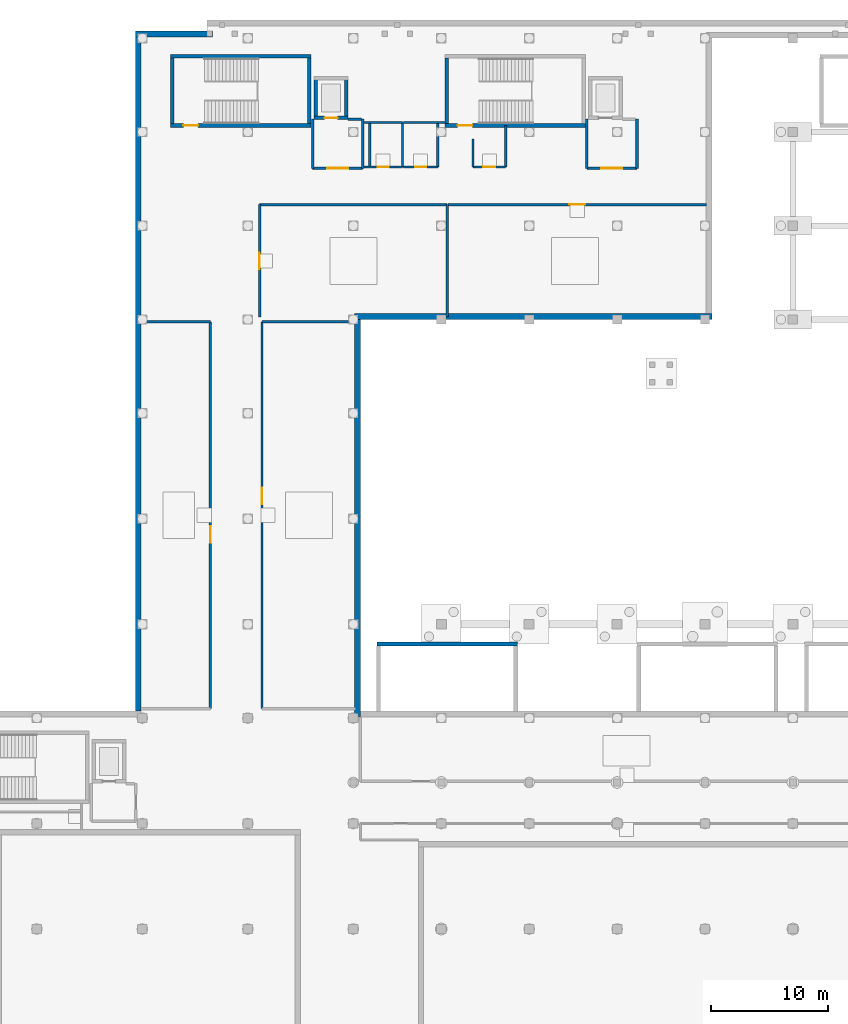
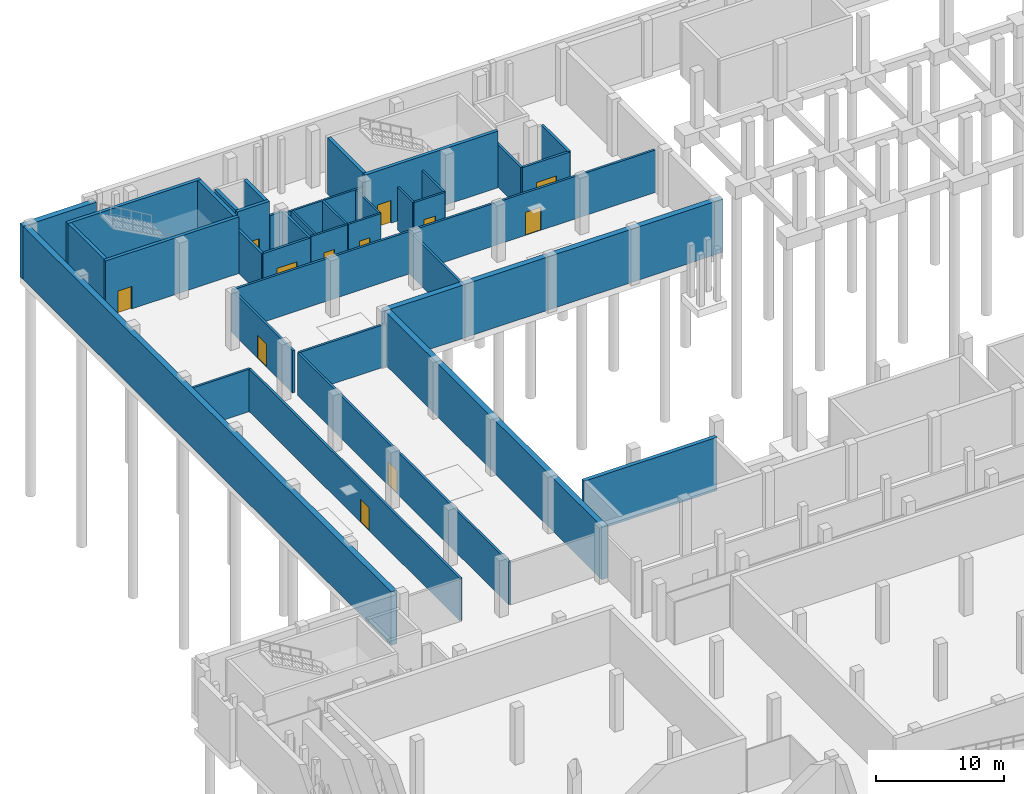
# One storey, part 12 of 19: 39 walls, 12 doors, 12 openings.
"""IFC4 building model written with IfcOpenShell, lengths in metres."""

from ifc_helpers import new_model, si_unit, direction, frame, frame_2d, origin, place, context, subcontext, project, spatial, rectangle, extrude, material, layer, layer_set, type_object, element, fill, save


model = new_model("IFC4")

# Units and contexts
model_context = context("Model", 3, precision=1e-05, world=origin(), true_north=direction((0.0, 1.0)))
body_context = subcontext(model_context, "Body", "Model", "MODEL_VIEW")
ifc_project = project(units=[si_unit("LENGTHUNIT", "METRE"), si_unit("AREAUNIT", "SQUARE_METRE"), si_unit("VOLUMEUNIT", "CUBIC_METRE"), si_unit("PLANEANGLEUNIT", "RADIAN"), si_unit("MASSUNIT", "GRAM", prefix="KILO")], contexts=[model_context])

# Site, building, storey
site_placement = place(None, origin())
site = spatial("IfcSite", under=ifc_project, at=site_placement, CompositionType="ELEMENT")
building_placement = place(site_placement, origin())
building = spatial("IfcBuilding", under=site, at=building_placement, Name="Vourika Railside Aquatics Centre", CompositionType="ELEMENT")
storey_placement = place(building_placement, frame((0.0, 0.0, -5.39990234375)))
storey = spatial("IfcBuildingStorey", under=building, at=storey_placement, Name="B1", CompositionType="ELEMENT", Elevation=-5.39990234375)

# Wall, opening, door
ifc_material_1 = material(Name="Concrete C40/50", Category="concrete")
ifc_layer_1 = layer(ifc_material_1, 0.300048828125, Name="WL-CORE")
ifc_layer_set_1 = layer_set([ifc_layer_1], Name="Concrete C40/50")
wall_type_1 = type_object("IfcWallType", Name="WL-CORE", PredefinedType="SHEAR", material=ifc_layer_set_1)
wall_1_placement = place(storey_placement, frame((20.39990234375, 108.550048828125, 0.0), z_axis=(0.0, 0.0, 1.0), x_axis=(1.0, 0.0, 0.0)))
wall_1 = element("IfcWall", 1, at=wall_1_placement, inside=storey, type_object=wall_type_1, Name="Protected Exit Stair Core ST01 South Wall (B1)", PredefinedType="SHEAR", context=body_context, shape_type="SweptSolid", body=[
    extrude(rectangle(XDim=12.0, YDim=0.300048828125, at=frame_2d((6.0, 0.0))), origin(), (0.0, 0.0, 1.0), 5.39990234375),
])
opening_1_placement = place(wall_1_placement, frame((1.10009765625, 0.0, 0.0)))
opening_1 = element("IfcOpeningElement", 2, at=opening_1_placement, cuts=wall_1, Name="Opening DF02", PredefinedType="OPENING", context=body_context, shape_type="SweptSolid", body=[
    extrude(rectangle(XDim=1.25, YDim=2.14990234375, at=frame_2d((0.625, 1.074951171875))), frame((0.0, 0.16015625, 0.0), z_axis=(0.0, -1.0, 0.0), x_axis=(1.0, 0.0, 0.0)), (0.0, 0.0, 1.0), 0.320068359375),
])
ifc_material_2 = material(Name="Fire-rated wide exit stair door")
door_type_1 = type_object("IfcDoorType", Name="DR-FD60-125", OperationType="NOTDEFINED", PredefinedType="DOOR", material=ifc_material_2)
door_1_placement = place(opening_1_placement, origin())
door_1 = element("IfcDoor", 3, at=door_1_placement, inside=storey, type_object=door_type_1, Name="Protected Exit Stair Core ST01 Enclosure Fire Door (B1)", OperationType="SINGLE_SWING_LEFT", OverallHeight=2.14990234375, OverallWidth=1.25, PredefinedType="DOOR", context=body_context, shape_type="SweptSolid", body=[
    extrude(rectangle(XDim=1.25, YDim=2.14990234375, at=frame_2d((0.625, 1.074951171875))), frame((0.0, 0.02490234375, 0.0), z_axis=(0.0, -1.0, 0.0), x_axis=(1.0, 0.0, 0.0)), (0.0, 0.0, 1.0), 0.050048828125),
])
fill(opening_1, door_1)

# Walls
wall_2_placement = place(storey_placement, frame((32.39990234375, 114.449951171875, 0.0), z_axis=(0.0, 0.0, 1.0), x_axis=(-1.0, 0.0, 0.0)))
element("IfcWall", 4, at=wall_2_placement, inside=storey, type_object=wall_type_1, Name="Protected Exit Stair Core ST01 North Wall (B1)", PredefinedType="SHEAR", context=body_context, shape_type="SweptSolid", body=[
    extrude(rectangle(XDim=12.0, YDim=0.300048828125, at=frame_2d((6.0, 0.0))), origin(), (0.0, 0.0, 1.0), 5.39990234375),
])
for number, where, z_axis, x_axis, name in (
    (5, (20.550048828125, 114.300048828125, 0.0), (0.0, 0.0, 1.0), (0.0, -1.0, 0.0), "Protected Exit Stair Core ST01 West Wall (B1)"),
    (6, (32.25, 108.699951171875, 0.0), (0.0, 0.0, 1.0), (0.0, 1.0, 0.0), "Protected Exit Stair Core ST01 East Wall (B1)"),
):
    element("IfcWall", number, at=place(storey_placement, frame(where, z_axis=z_axis, x_axis=x_axis)), inside=storey, type_object=wall_type_1, Name=name, PredefinedType="SHEAR", context=body_context, shape_type="SweptSolid", body=[
        extrude(rectangle(XDim=5.60009765625, YDim=0.300048828125, at=frame_2d((2.800048828125, 0.0))), origin(), (0.0, 0.0, 1.0), 5.39990234375),
    ])

# Wall, opening, door
wall_3_placement = place(storey_placement, frame((43.800048828125, 108.550048828125, 0.0), z_axis=(0.0, 0.0, 1.0), x_axis=(1.0, 0.0, 0.0)))
wall_3 = element("IfcWall", 7, at=wall_3_placement, inside=storey, type_object=wall_type_1, Name="Protected Exit Stair Core ST02 South Wall (B1)", PredefinedType="SHEAR", context=body_context, shape_type="SweptSolid", body=[
    extrude(rectangle(XDim=12.0, YDim=0.300048828125, at=frame_2d((6.0, 0.0))), origin(), (0.0, 0.0, 1.0), 5.39990234375),
])
opening_2_placement = place(wall_3_placement, frame((1.10009765625, 0.0, 0.0)))
opening_2 = element("IfcOpeningElement", 8, at=opening_2_placement, cuts=wall_3, Name="Opening DF02", PredefinedType="OPENING", context=body_context, shape_type="SweptSolid", body=[
    extrude(rectangle(XDim=1.25, YDim=2.14990234375, at=frame_2d((0.625, 1.074951171875))), frame((0.0, 0.16015625, 0.0), z_axis=(0.0, -1.0, 0.0), x_axis=(1.0, 0.0, 0.0)), (0.0, 0.0, 1.0), 0.320068359375),
])
door_2_placement = place(opening_2_placement, origin())
door_2 = element("IfcDoor", 9, at=door_2_placement, inside=storey, type_object=door_type_1, Name="Protected Exit Stair Core ST02 Enclosure Fire Door (B1)", OperationType="SINGLE_SWING_RIGHT", OverallHeight=2.14990234375, OverallWidth=1.25, PredefinedType="DOOR", context=body_context, shape_type="SweptSolid", body=[
    extrude(rectangle(XDim=1.25, YDim=2.14990234375, at=frame_2d((0.625, 1.074951171875))), frame((0.0, 0.02490234375, 0.0), z_axis=(0.0, -1.0, 0.0), x_axis=(1.0, 0.0, 0.0)), (0.0, 0.0, 1.0), 0.050048828125),
])
fill(opening_2, door_2)

# Wall
wall_4_placement = place(storey_placement, frame((43.949951171875, 114.300048828125, 0.0), z_axis=(0.0, 0.0, 1.0), x_axis=(0.0, -1.0, 0.0)))
element("IfcWall", 10, at=wall_4_placement, inside=storey, type_object=wall_type_1, Name="Protected Exit Stair Core ST02 West Wall (B1)", PredefinedType="SHEAR", context=body_context, shape_type="SweptSolid", body=[
    extrude(rectangle(XDim=5.60009765625, YDim=0.300048828125, at=frame_2d((2.800048828125, 0.0))), origin(), (0.0, 0.0, 1.0), 5.39990234375),
])

# Wall, opening, door
wall_5_placement = place(storey_placement, frame((32.64990234375, 109.199951171875, 0.0), z_axis=(0.0, 0.0, 1.0), x_axis=(1.0, 0.0, 0.0)))
wall_5 = element("IfcWall", 11, at=wall_5_placement, inside=storey, type_object=wall_type_1, Name="Lift LF01 Shaft South Wall (B1)", PredefinedType="SHEAR", context=body_context, shape_type="SweptSolid", body=[
    extrude(rectangle(XDim=2.900146484375, YDim=0.300048828125, at=frame_2d((1.4501953125, 0.0))), origin(), (0.0, 0.0, 1.0), 5.39990234375),
])
opening_3_placement = place(wall_5_placement, frame((0.89990234375, 0.0, 0.0)))
opening_3 = element("IfcOpeningElement", 12, at=opening_3_placement, cuts=wall_5, Name="Opening LD01", PredefinedType="OPENING", context=body_context, shape_type="SweptSolid", body=[
    extrude(rectangle(XDim=1.10009765625, YDim=2.14990234375, at=frame_2d((0.550048828125, 1.074951171875))), frame((0.0, 0.16015625, 0.0), z_axis=(0.0, -1.0, 0.0), x_axis=(1.0, 0.0, 0.0)), (0.0, 0.0, 1.0), 0.320068359375),
])
ifc_material_3 = material(Name="Stainless firefighting lift landing door")
door_type_2 = type_object("IfcDoorType", Name="DR-LIFT-LD1", OperationType="DOUBLE_DOOR_SLIDING", PredefinedType="DOOR", material=ifc_material_3)
door_3_placement = place(opening_3_placement, origin())
door_3 = element("IfcDoor", 13, at=door_3_placement, inside=storey, type_object=door_type_2, Name="Lift LF01 Sliding Landing Door (B1)", OperationType="DOUBLE_DOOR_SLIDING", OverallHeight=2.14990234375, OverallWidth=1.10009765625, PredefinedType="DOOR", context=body_context, shape_type="SweptSolid", body=[
    extrude(rectangle(XDim=1.10009765625, YDim=2.14990234375, at=frame_2d((0.550048828125, 1.074951171875))), frame((0.0, 0.02490234375, 0.0), z_axis=(0.0, -1.0, 0.0), x_axis=(1.0, 0.0, 0.0)), (0.0, 0.0, 1.0), 0.050048828125),
])
fill(opening_3, door_3)

# Walls
for number, where, z_axis, x_axis, name in (
    (14, (32.800048828125, 112.60009765625, 0.0), (0.0, 0.0, 1.0), (0.0, -1.0, 0.0), "Lift LF01 Shaft West Wall (B1)"),
    (15, (35.39990234375, 109.199951171875, 0.0), (0.0, 0.0, 1.0), (0.0, 1.0, 0.0), "Lift LF01 Shaft East Wall (B1)"),
):
    element("IfcWall", number, at=place(storey_placement, frame(where, z_axis=z_axis, x_axis=x_axis)), inside=storey, type_object=wall_type_1, Name=name, PredefinedType="SHEAR", context=body_context, shape_type="SweptSolid", body=[
        extrude(rectangle(XDim=3.400146484375, YDim=0.300048828125, at=frame_2d((1.7001953125, 0.0))), origin(), (0.0, 0.0, 1.0), 5.39990234375),
    ])

# Wall, opening, door
ifc_material_4 = material(Name="Concrete C35/45", Category="concrete")
ifc_layer_2 = layer(ifc_material_4, 0.219970703125, Name="WL-FIRE")
ifc_layer_set_2 = layer_set([ifc_layer_2], Name="Concrete C35/45")
wall_type_2 = type_object("IfcWallType", Name="WL-FIRE", PredefinedType="SOLIDWALL", material=ifc_layer_set_2)
wall_6_placement = place(storey_placement, frame((32.52001953125, 104.89990234375, 0.0), z_axis=(0.0, 0.0, 1.0), x_axis=(1.0, 0.0, 0.0)))
wall_6 = element("IfcWall", 16, at=wall_6_placement, inside=storey, type_object=wall_type_2, Name="Lift LF01 Lobby Corridor Fire Wall (B1)", PredefinedType="SOLIDWALL", context=body_context, shape_type="SweptSolid", body=[
    extrude(rectangle(XDim=4.280029296875, YDim=0.219970703125, at=frame_2d((2.14013671875, 0.0))), origin(), (0.0, 0.0, 1.0), 4.0498046875),
])
opening_4_placement = place(wall_6_placement, frame((1.239990234375, 0.0, 0.0)))
opening_4 = element("IfcOpeningElement", 17, at=opening_4_placement, cuts=wall_6, Name="Opening DF03", PredefinedType="OPENING", context=body_context, shape_type="SweptSolid", body=[
    extrude(rectangle(XDim=1.800048828125, YDim=2.199951171875, at=frame_2d((0.89990234375, 1.10009765625))), frame((0.0, 0.1201171875, 0.0), z_axis=(0.0, -1.0, 0.0), x_axis=(1.0, 0.0, 0.0)), (0.0, 0.0, 1.0), 0.239990234375),
])
ifc_material_5 = material(Name="Fire-rated double lobby door")
door_type_3 = type_object("IfcDoorType", Name="DR-FD60D", OperationType="DOUBLE_DOOR_SINGLE_SWING", PredefinedType="DOOR", material=ifc_material_5)
door_4_placement = place(opening_4_placement, origin())
door_4 = element("IfcDoor", 18, at=door_4_placement, inside=storey, type_object=door_type_3, Name="Lift LF01 Lobby Fire Door (B1)", OperationType="DOUBLE_DOOR_SINGLE_SWING", OverallHeight=2.199951171875, OverallWidth=1.800048828125, PredefinedType="DOOR", context=body_context, shape_type="SweptSolid", body=[
    extrude(rectangle(XDim=1.800048828125, YDim=2.199951171875, at=frame_2d((0.89990234375, 1.10009765625))), frame((0.0, 0.02490234375, 0.0), z_axis=(0.0, -1.0, 0.0), x_axis=(1.0, 0.0, 0.0)), (0.0, 0.0, 1.0), 0.050048828125),
])
fill(opening_4, door_4)

# Walls
for number, where, z_axis, x_axis, name in (
    (19, (32.52001953125, 104.89990234375, 0.0), (0.0, 0.0, 1.0), (0.0, 1.0, 0.0), "Lift LF01 Lobby West Fire Wall (B1)"),
    (20, (36.800048828125, 104.89990234375, 0.0), (0.0, 0.0, 1.0), (0.0, 1.0, 0.0), "Lift LF01 Lobby East Fire Wall (B1)"),
):
    element("IfcWall", number, at=place(storey_placement, frame(where, z_axis=z_axis, x_axis=x_axis)), inside=storey, type_object=wall_type_2, Name=name, PredefinedType="SOLIDWALL", context=body_context, shape_type="SweptSolid", body=[
        extrude(rectangle(XDim=4.2001953125, YDim=0.219970703125, at=frame_2d((2.10009765625, 0.0))), origin(), (0.0, 0.0, 1.0), 4.0498046875),
    ])
wall_7_placement = place(storey_placement, frame((35.550048828125, 109.10009765625, 0.0), z_axis=(0.0, 0.0, 1.0), x_axis=(1.0, 0.0, 0.0)))
element("IfcWall", 21, at=wall_7_placement, inside=storey, type_object=wall_type_2, Name="Lift LF01 Lobby North-East Closure Wall (B1)", PredefinedType="SOLIDWALL", context=body_context, shape_type="SweptSolid", body=[
    extrude(rectangle(XDim=1.1298828125, YDim=0.219970703125, at=frame_2d((0.56494140625, 0.0))), origin(), (0.0, 0.0, 1.0), 4.0498046875),
])

# Wall, opening, door
wall_8_placement = place(storey_placement, frame((55.919921875, 104.89990234375, 0.0), z_axis=(0.0, 0.0, 1.0), x_axis=(1.0, 0.0, 0.0)))
wall_8 = element("IfcWall", 22, at=wall_8_placement, inside=storey, type_object=wall_type_2, Name="Lift LF02 Lobby Corridor Fire Wall (B1)", PredefinedType="SOLIDWALL", context=body_context, shape_type="SweptSolid", body=[
    extrude(rectangle(XDim=4.280029296875, YDim=0.219970703125, at=frame_2d((2.14013671875, 0.0))), origin(), (0.0, 0.0, 1.0), 4.0498046875),
])
opening_5_placement = place(wall_8_placement, frame((1.239990234375, 0.0, 0.0)))
opening_5 = element("IfcOpeningElement", 23, at=opening_5_placement, cuts=wall_8, Name="Opening DF03", PredefinedType="OPENING", context=body_context, shape_type="SweptSolid", body=[
    extrude(rectangle(XDim=1.800048828125, YDim=2.199951171875, at=frame_2d((0.89990234375, 1.10009765625))), frame((0.0, 0.1201171875, 0.0), z_axis=(0.0, -1.0, 0.0), x_axis=(1.0, 0.0, 0.0)), (0.0, 0.0, 1.0), 0.239990234375),
])
door_5_placement = place(opening_5_placement, origin())
door_5 = element("IfcDoor", 24, at=door_5_placement, inside=storey, type_object=door_type_3, Name="Lift LF02 Lobby Fire Door (B1)", OperationType="DOUBLE_DOOR_SINGLE_SWING", OverallHeight=2.199951171875, OverallWidth=1.800048828125, PredefinedType="DOOR", context=body_context, shape_type="SweptSolid", body=[
    extrude(rectangle(XDim=1.800048828125, YDim=2.199951171875, at=frame_2d((0.89990234375, 1.10009765625))), frame((0.0, 0.02490234375, 0.0), z_axis=(0.0, -1.0, 0.0), x_axis=(1.0, 0.0, 0.0)), (0.0, 0.0, 1.0), 0.050048828125),
])
fill(opening_5, door_5)

# Walls
for number, where, z_axis, x_axis, name in (
    (25, (55.919921875, 104.89990234375, 0.0), (0.0, 0.0, 1.0), (0.0, 1.0, 0.0), "Lift LF02 Lobby West Fire Wall (B1)"),
    (26, (60.199951171875, 104.89990234375, 0.0), (0.0, 0.0, 1.0), (0.0, 1.0, 0.0), "Lift LF02 Lobby East Fire Wall (B1)"),
):
    element("IfcWall", number, at=place(storey_placement, frame(where, z_axis=z_axis, x_axis=x_axis)), inside=storey, type_object=wall_type_2, Name=name, PredefinedType="SOLIDWALL", context=body_context, shape_type="SweptSolid", body=[
        extrude(rectangle(XDim=4.2001953125, YDim=0.219970703125, at=frame_2d((2.10009765625, 0.0))), origin(), (0.0, 0.0, 1.0), 4.0498046875),
    ])

# Wall, opening, door
ifc_material_6 = material(Name="Moisture-resistant wet-village blockwork", Category="masonry")
ifc_layer_3 = layer(ifc_material_6, 0.179931640625, Name="WL-PART-180")
ifc_layer_set_3 = layer_set([ifc_layer_3], Name="Moisture-resistant wet-village blockwork")
wall_type_3 = type_object("IfcWallType", Name="WL-PART-180", PredefinedType="PARTITIONING", material=ifc_layer_set_3)
wall_9_placement = place(storey_placement, frame((40.199951171875, 105.0, 0.0), z_axis=(0.0, 0.0, 1.0), x_axis=(-1.0, 0.0, 0.0)))
wall_9 = element("IfcWall", 27, at=wall_9_placement, inside=storey, type_object=wall_type_3, Name="Basement Staff Male WC Partition 1", PredefinedType="PARTITIONING", context=body_context, shape_type="SweptSolid", body=[
    extrude(rectangle(XDim=3.31005859375, YDim=0.179931640625, at=frame_2d((1.655029296875, 0.0))), origin(), (0.0, 0.0, 1.0), 4.0498046875),
])
opening_6_placement = place(wall_9_placement, frame((1.179931640625, 0.0, 0.0)))
opening_6 = element("IfcOpeningElement", 28, at=opening_6_placement, cuts=wall_9, Name="Opening DW01", PredefinedType="OPENING", context=body_context, shape_type="SweptSolid", body=[
    extrude(rectangle(XDim=0.949951171875, YDim=2.10009765625, at=frame_2d((0.47509765625, 1.050048828125))), frame((0.0, 0.10009765625, 0.0), z_axis=(0.0, -1.0, 0.0), x_axis=(1.0, 0.0, 0.0)), (0.0, 0.0, 1.0), 0.199951171875),
])
ifc_material_7 = material(Name="Moisture-resistant HPL washroom door")
door_type_4 = type_object("IfcDoorType", Name="DR-WC-950", OperationType="NOTDEFINED", PredefinedType="DOOR", material=ifc_material_7)
door_6_placement = place(opening_6_placement, origin())
door_6 = element("IfcDoor", 29, at=door_6_placement, inside=storey, type_object=door_type_4, Name="Basement Staff Male WC Door", OperationType="SINGLE_SWING_LEFT", OverallHeight=2.10009765625, OverallWidth=0.949951171875, PredefinedType="DOOR", context=body_context, shape_type="SweptSolid", body=[
    extrude(rectangle(XDim=0.949951171875, YDim=2.10009765625, at=frame_2d((0.47509765625, 1.050048828125))), frame((0.0, 0.02490234375, 0.0), z_axis=(0.0, -1.0, 0.0), x_axis=(1.0, 0.0, 0.0)), (0.0, 0.0, 1.0), 0.050048828125),
])
fill(opening_6, door_6)

# Walls
for number, where, z_axis, x_axis, name in (
    (30, (40.199951171875, 108.800048828125, 0.0), (0.0, 0.0, 1.0), (0.0, -1.0, 0.0), "Basement Staff Male WC Partition 2"),
    (31, (37.39990234375, 105.0, 0.0), (0.0, 0.0, 1.0), (0.0, 1.0, 0.0), "Basement Staff Male WC Partition 3"),
):
    element("IfcWall", number, at=place(storey_placement, frame(where, z_axis=z_axis, x_axis=x_axis)), inside=storey, type_object=wall_type_3, Name=name, PredefinedType="PARTITIONING", context=body_context, shape_type="SweptSolid", body=[
        extrude(rectangle(XDim=3.800048828125, YDim=0.179931640625, at=frame_2d((1.89990234375, 0.0))), origin(), (0.0, 0.0, 1.0), 4.0498046875),
    ])
wall_10_placement = place(storey_placement, frame((36.889892578125, 108.800048828125, 0.0), z_axis=(0.0, 0.0, 1.0), x_axis=(1.0, 0.0, 0.0)))
element("IfcWall", 32, at=wall_10_placement, inside=storey, type_object=wall_type_3, Name="Basement Staff Male WC Partition 4", PredefinedType="PARTITIONING", context=body_context, shape_type="SweptSolid", body=[
    extrude(rectangle(XDim=3.31005859375, YDim=0.179931640625, at=frame_2d((1.655029296875, 0.0))), origin(), (0.0, 0.0, 1.0), 4.0498046875),
])

# Wall, opening, door
wall_11_placement = place(storey_placement, frame((43.199951171875, 105.0, 0.0), z_axis=(0.0, 0.0, 1.0), x_axis=(-1.0, 0.0, 0.0)))
wall_11 = element("IfcWall", 33, at=wall_11_placement, inside=storey, type_object=wall_type_3, Name="Basement Staff Female WC Partition 1", PredefinedType="PARTITIONING", context=body_context, shape_type="SweptSolid", body=[
    extrude(rectangle(XDim=2.929931640625, YDim=0.179931640625, at=frame_2d((1.46484375, 0.0))), origin(), (0.0, 0.0, 1.0), 4.0498046875),
])
opening_7_placement = place(wall_11_placement, frame((0.989990234375, 0.0, 0.0)))
opening_7 = element("IfcOpeningElement", 34, at=opening_7_placement, cuts=wall_11, Name="Opening DW01", PredefinedType="OPENING", context=body_context, shape_type="SweptSolid", body=[
    extrude(rectangle(XDim=0.949951171875, YDim=2.10009765625, at=frame_2d((0.47509765625, 1.050048828125))), frame((0.0, 0.10009765625, 0.0), z_axis=(0.0, -1.0, 0.0), x_axis=(1.0, 0.0, 0.0)), (0.0, 0.0, 1.0), 0.199951171875),
])
door_7_placement = place(opening_7_placement, origin())
door_7 = element("IfcDoor", 35, at=door_7_placement, inside=storey, type_object=door_type_4, Name="Basement Staff Female WC Door", OperationType="SINGLE_SWING_RIGHT", OverallHeight=2.10009765625, OverallWidth=0.949951171875, PredefinedType="DOOR", context=body_context, shape_type="SweptSolid", body=[
    extrude(rectangle(XDim=0.949951171875, YDim=2.10009765625, at=frame_2d((0.47509765625, 1.050048828125))), frame((0.0, 0.02490234375, 0.0), z_axis=(0.0, -1.0, 0.0), x_axis=(1.0, 0.0, 0.0)), (0.0, 0.0, 1.0), 0.050048828125),
])
fill(opening_7, door_7)

# Walls
wall_12_placement = place(storey_placement, frame((43.199951171875, 108.800048828125, 0.0), z_axis=(0.0, 0.0, 1.0), x_axis=(0.0, -1.0, 0.0)))
element("IfcWall", 36, at=wall_12_placement, inside=storey, type_object=wall_type_3, Name="Basement Staff Female WC Partition 2", PredefinedType="PARTITIONING", context=body_context, shape_type="SweptSolid", body=[
    extrude(rectangle(XDim=3.800048828125, YDim=0.179931640625, at=frame_2d((1.89990234375, 0.0))), origin(), (0.0, 0.0, 1.0), 4.0498046875),
])
wall_13_placement = place(storey_placement, frame((40.27001953125, 108.800048828125, 0.0), z_axis=(0.0, 0.0, 1.0), x_axis=(1.0, 0.0, 0.0)))
element("IfcWall", 37, at=wall_13_placement, inside=storey, type_object=wall_type_3, Name="Basement Staff Female WC Partition 4", PredefinedType="PARTITIONING", context=body_context, shape_type="SweptSolid", body=[
    extrude(rectangle(XDim=3.530029296875, YDim=0.179931640625, at=frame_2d((1.76513671875, 0.0))), origin(), (0.0, 0.0, 1.0), 4.0498046875),
])

# Wall, opening, door
wall_14_placement = place(storey_placement, frame((49.0, 105.0, 0.0), z_axis=(0.0, 0.0, 1.0), x_axis=(-1.0, 0.0, 0.0)))
wall_14 = element("IfcWall", 38, at=wall_14_placement, inside=storey, type_object=wall_type_3, Name="Basement Accessible WC Partition 1", PredefinedType="PARTITIONING", context=body_context, shape_type="SweptSolid", body=[
    extrude(rectangle(XDim=2.800048828125, YDim=0.179931640625, at=frame_2d((1.39990234375, 0.0))), origin(), (0.0, 0.0, 1.0), 4.0498046875),
])
opening_8_placement = place(wall_14_placement, frame((0.875, 0.0, 0.0)))
opening_8 = element("IfcOpeningElement", 39, at=opening_8_placement, cuts=wall_14, Name="Opening DW02", PredefinedType="OPENING", context=body_context, shape_type="SweptSolid", body=[
    extrude(rectangle(XDim=1.050048828125, YDim=2.10009765625, at=frame_2d((0.52490234375, 1.050048828125))), frame((0.0, 0.10009765625, 0.0), z_axis=(0.0, -1.0, 0.0), x_axis=(1.0, 0.0, 0.0)), (0.0, 0.0, 1.0), 0.199951171875),
])
ifc_material_8 = material(Name="Accessible WC outward-assist door")
door_type_5 = type_object("IfcDoorType", Name="DR-WCA-1050", OperationType="NOTDEFINED", PredefinedType="DOOR", material=ifc_material_8)
door_8_placement = place(opening_8_placement, origin())
door_8 = element("IfcDoor", 40, at=door_8_placement, inside=storey, type_object=door_type_5, Name="Basement Accessible WC Door", OperationType="SINGLE_SWING_LEFT", OverallHeight=2.10009765625, OverallWidth=1.050048828125, PredefinedType="DOOR", context=body_context, shape_type="SweptSolid", body=[
    extrude(rectangle(XDim=1.050048828125, YDim=2.10009765625, at=frame_2d((0.52490234375, 1.050048828125))), frame((0.0, 0.02490234375, 0.0), z_axis=(0.0, -1.0, 0.0), x_axis=(1.0, 0.0, 0.0)), (0.0, 0.0, 1.0), 0.050048828125),
])
fill(opening_8, door_8)

# Walls
wall_15_placement = place(storey_placement, frame((46.199951171875, 105.0, 0.0), z_axis=(0.0, 0.0, 1.0), x_axis=(0.0, 1.0, 0.0)))
element("IfcWall", 41, at=wall_15_placement, inside=storey, type_object=wall_type_3, Name="Basement Accessible WC Partition 2", PredefinedType="PARTITIONING", context=body_context, shape_type="SweptSolid", body=[
    extrude(rectangle(XDim=2.382568359375, YDim=0.179931640625, at=frame_2d((1.19140625, 0.0))), origin(), (0.0, 0.0, 1.0), 4.0498046875),
])
wall_16_placement = place(storey_placement, frame((49.0, 108.56005859375, 0.0), z_axis=(0.0, 0.0, 1.0), x_axis=(0.0, -1.0, 0.0)))
element("IfcWall", 42, at=wall_16_placement, inside=storey, type_object=wall_type_3, Name="Basement Accessible WC Partition 3", PredefinedType="PARTITIONING", context=body_context, shape_type="SweptSolid", body=[
    extrude(rectangle(XDim=3.56005859375, YDim=0.179931640625, at=frame_2d((1.780029296875, 0.0))), origin(), (0.0, 0.0, 1.0), 4.0498046875),
])

# Wall, opening, door
ifc_material_9 = material(Name="Acoustic masonry blockwork", Category="masonry")
ifc_layer_4 = layer(ifc_material_9, 0.199951171875, Name="WL-PART-200")
ifc_layer_set_4 = layer_set([ifc_layer_4], Name="Acoustic masonry blockwork")
wall_type_4 = type_object("IfcWallType", Name="WL-PART-200", PredefinedType="PARTITIONING", material=ifc_layer_set_4)
wall_17_placement = place(storey_placement, frame((23.800048828125, 91.800048828125, 0.0), z_axis=(0.0, 0.0, 1.0), x_axis=(0.0, -1.0, 0.0)))
wall_17 = element("IfcWall", 43, at=wall_17_placement, inside=storey, type_object=wall_type_4, Name="Heat Pump and Geothermal Recovery Plant Partition 1", PredefinedType="PARTITIONING", context=body_context, shape_type="SweptSolid", body=[
    extrude(rectangle(XDim=33.0, YDim=0.199951171875, at=frame_2d((16.5, 0.0))), origin(), (0.0, 0.0, 1.0), 4.0498046875),
])
opening_9_placement = place(wall_17_placement, frame((17.449951171875, 0.0, 0.0)))
opening_9 = element("IfcOpeningElement", 44, at=opening_9_placement, cuts=wall_17, Name="Opening DP01", PredefinedType="OPENING", context=body_context, shape_type="SweptSolid", body=[
    extrude(rectangle(XDim=1.39990234375, YDim=2.199951171875, at=frame_2d((0.699951171875, 1.10009765625))), frame((0.0, 0.10986328125, 0.0), z_axis=(0.0, -1.0, 0.0), x_axis=(1.0, 0.0, 0.0)), (0.0, 0.0, 1.0), 0.219970703125),
])
ifc_material_10 = material(Name="Fire-rated plant room double door")
door_type_6 = type_object("IfcDoorType", Name="DR-PLT-1400D", OperationType="DOUBLE_DOOR_SINGLE_SWING", PredefinedType="DOOR", material=ifc_material_10)
door_9_placement = place(opening_9_placement, origin())
door_9 = element("IfcDoor", 45, at=door_9_placement, inside=storey, type_object=door_type_6, Name="Heat Pump and Geothermal Recovery Plant Door", OperationType="DOUBLE_DOOR_SINGLE_SWING", OverallHeight=2.199951171875, OverallWidth=1.39990234375, PredefinedType="DOOR", context=body_context, shape_type="SweptSolid", body=[
    extrude(rectangle(XDim=1.39990234375, YDim=2.199951171875, at=frame_2d((0.699951171875, 1.10009765625))), frame((0.0, 0.02490234375, 0.0), z_axis=(0.0, -1.0, 0.0), x_axis=(1.0, 0.0, 0.0)), (0.0, 0.0, 1.0), 0.050048828125),
])
fill(opening_9, door_9)

# Wall
wall_18_placement = place(storey_placement, frame((17.8798828125, 91.800048828125, 0.0), z_axis=(0.0, 0.0, 1.0), x_axis=(1.0, 0.0, 0.0)))
element("IfcWall", 46, at=wall_18_placement, inside=storey, type_object=wall_type_4, Name="Heat Pump and Geothermal Recovery Plant Partition 3", PredefinedType="PARTITIONING", context=body_context, shape_type="SweptSolid", body=[
    extrude(rectangle(XDim=5.920166015625, YDim=0.199951171875, at=frame_2d((2.9599609375, 0.0))), origin(), (0.0, 0.0, 1.0), 4.0498046875),
])

# Wall, opening, door
wall_19_placement = place(storey_placement, frame((28.199951171875, 58.800048828125, 0.0), z_axis=(0.0, 0.0, 1.0), x_axis=(0.0, 1.0, 0.0)))
wall_19 = element("IfcWall", 47, at=wall_19_placement, inside=storey, type_object=wall_type_4, Name="District Chiller and Condenser Recovery Hall Partition 1", PredefinedType="PARTITIONING", context=body_context, shape_type="SweptSolid", body=[
    extrude(rectangle(XDim=33.0, YDim=0.199951171875, at=frame_2d((16.5, 0.0))), origin(), (0.0, 0.0, 1.0), 4.0498046875),
])
opening_10_placement = place(wall_19_placement, frame((17.449951171875, 0.0, 0.0)))
opening_10 = element("IfcOpeningElement", 48, at=opening_10_placement, cuts=wall_19, Name="Opening DP01", PredefinedType="OPENING", context=body_context, shape_type="SweptSolid", body=[
    extrude(rectangle(XDim=1.39990234375, YDim=2.199951171875, at=frame_2d((0.699951171875, 1.10009765625))), frame((0.0, 0.10986328125, 0.0), z_axis=(0.0, -1.0, 0.0), x_axis=(1.0, 0.0, 0.0)), (0.0, 0.0, 1.0), 0.219970703125),
])
door_10_placement = place(opening_10_placement, origin())
door_10 = element("IfcDoor", 49, at=door_10_placement, inside=storey, type_object=door_type_6, Name="District Chiller and Condenser Recovery Hall Door", OperationType="DOUBLE_DOOR_SINGLE_SWING", OverallHeight=2.199951171875, OverallWidth=1.39990234375, PredefinedType="DOOR", context=body_context, shape_type="SweptSolid", body=[
    extrude(rectangle(XDim=1.39990234375, YDim=2.199951171875, at=frame_2d((0.699951171875, 1.10009765625))), frame((0.0, 0.02490234375, 0.0), z_axis=(0.0, -1.0, 0.0), x_axis=(1.0, 0.0, 0.0)), (0.0, 0.0, 1.0), 0.050048828125),
])
fill(opening_10, door_10)

# Wall
wall_20_placement = place(storey_placement, frame((28.199951171875, 91.800048828125, 0.0), z_axis=(0.0, 0.0, 1.0), x_axis=(1.0, 0.0, 0.0)))
element("IfcWall", 50, at=wall_20_placement, inside=storey, type_object=wall_type_4, Name="District Chiller and Condenser Recovery Hall Partition 2", PredefinedType="PARTITIONING", context=body_context, shape_type="SweptSolid", body=[
    extrude(rectangle(XDim=7.900146484375, YDim=0.199951171875, at=frame_2d((3.9501953125, 0.0))), origin(), (0.0, 0.0, 1.0), 4.0498046875),
])

# Wall, opening, door
wall_21_placement = place(storey_placement, frame((28.0, 92.199951171875, 0.0), z_axis=(0.0, 0.0, 1.0), x_axis=(0.0, 1.0, 0.0)))
wall_21 = element("IfcWall", 51, at=wall_21_placement, inside=storey, type_object=wall_type_4, Name="High-Voltage Substation and Switchgear Hall Partition 1", PredefinedType="PARTITIONING", context=body_context, shape_type="SweptSolid", body=[
    extrude(rectangle(XDim=9.60009765625, YDim=0.199951171875, at=frame_2d((4.800048828125, 0.0))), origin(), (0.0, 0.0, 1.0), 4.0498046875),
])
opening_11_placement = place(wall_21_placement, frame((4.10009765625, 0.0, 0.0)))
opening_11 = element("IfcOpeningElement", 52, at=opening_11_placement, cuts=wall_21, Name="Opening DP01", PredefinedType="OPENING", context=body_context, shape_type="SweptSolid", body=[
    extrude(rectangle(XDim=1.39990234375, YDim=2.199951171875, at=frame_2d((0.699951171875, 1.10009765625))), frame((0.0, 0.10986328125, 0.0), z_axis=(0.0, -1.0, 0.0), x_axis=(1.0, 0.0, 0.0)), (0.0, 0.0, 1.0), 0.219970703125),
])
door_11_placement = place(opening_11_placement, origin())
door_11 = element("IfcDoor", 53, at=door_11_placement, inside=storey, type_object=door_type_6, Name="High-Voltage Substation and Switchgear Hall Door", OperationType="DOUBLE_DOOR_SINGLE_SWING", OverallHeight=2.199951171875, OverallWidth=1.39990234375, PredefinedType="DOOR", context=body_context, shape_type="SweptSolid", body=[
    extrude(rectangle(XDim=1.39990234375, YDim=2.199951171875, at=frame_2d((0.699951171875, 1.10009765625))), frame((0.0, 0.02490234375, 0.0), z_axis=(0.0, -1.0, 0.0), x_axis=(1.0, 0.0, 0.0)), (0.0, 0.0, 1.0), 0.050048828125),
])
fill(opening_11, door_11)

# Walls
wall_22_placement = place(storey_placement, frame((28.0, 101.800048828125, 0.0), z_axis=(0.0, 0.0, 1.0), x_axis=(1.0, 0.0, 0.0)))
element("IfcWall", 54, at=wall_22_placement, inside=storey, type_object=wall_type_4, Name="High-Voltage Substation and Switchgear Hall Partition 2", PredefinedType="PARTITIONING", context=body_context, shape_type="SweptSolid", body=[
    extrude(rectangle(XDim=16.0, YDim=0.199951171875, at=frame_2d((8.0, 0.0))), origin(), (0.0, 0.0, 1.0), 4.0498046875),
])
wall_23_placement = place(storey_placement, frame((44.0, 101.800048828125, 0.0), z_axis=(0.0, 0.0, 1.0), x_axis=(0.0, -1.0, 0.0)))
element("IfcWall", 55, at=wall_23_placement, inside=storey, type_object=wall_type_4, Name="High-Voltage Substation and Switchgear Hall Partition 4", PredefinedType="PARTITIONING", context=body_context, shape_type="SweptSolid", body=[
    extrude(rectangle(XDim=9.60009765625, YDim=0.199951171875, at=frame_2d((4.800048828125, 0.0))), origin(), (0.0, 0.0, 1.0), 4.0498046875),
])

# Wall, opening, door
wall_24_placement = place(storey_placement, frame((44.080078125, 101.800048828125, 0.0), z_axis=(0.0, 0.0, 1.0), x_axis=(1.0, 0.0, 0.0)))
wall_24 = element("IfcWall", 56, at=wall_24_placement, inside=storey, type_object=wall_type_4, Name="Monsoon Rainwater Treatment and Booster Plant Partition 1", PredefinedType="PARTITIONING", context=body_context, shape_type="SweptSolid", body=[
    extrude(rectangle(XDim=22.0400390625, YDim=0.199951171875, at=frame_2d((11.02001953125, 0.0))), origin(), (0.0, 0.0, 1.0), 4.0498046875),
])
opening_12_placement = place(wall_24_placement, frame((10.320068359375, 0.0, 0.0)))
opening_12 = element("IfcOpeningElement", 57, at=opening_12_placement, cuts=wall_24, Name="Opening DP01", PredefinedType="OPENING", context=body_context, shape_type="SweptSolid", body=[
    extrude(rectangle(XDim=1.39990234375, YDim=2.199951171875, at=frame_2d((0.699951171875, 1.10009765625))), frame((0.0, 0.10986328125, 0.0), z_axis=(0.0, -1.0, 0.0), x_axis=(1.0, 0.0, 0.0)), (0.0, 0.0, 1.0), 0.219970703125),
])
door_12_placement = place(opening_12_placement, origin())
door_12 = element("IfcDoor", 58, at=door_12_placement, inside=storey, type_object=door_type_6, Name="Monsoon Rainwater Treatment and Booster Plant Door", OperationType="DOUBLE_DOOR_SINGLE_SWING", OverallHeight=2.199951171875, OverallWidth=1.39990234375, PredefinedType="DOOR", context=body_context, shape_type="SweptSolid", body=[
    extrude(rectangle(XDim=1.39990234375, YDim=2.199951171875, at=frame_2d((0.699951171875, 1.10009765625))), frame((0.0, 0.02490234375, 0.0), z_axis=(0.0, -1.0, 0.0), x_axis=(1.0, 0.0, 0.0)), (0.0, 0.0, 1.0), 0.050048828125),
])
fill(opening_12, door_12)

# Walls
ifc_layer_5 = layer(ifc_material_1, 0.5, Name="WL-RET-500")
ifc_layer_set_5 = layer_set([ifc_layer_5], Name="Concrete C40/50")
wall_type_5 = type_object("IfcWallType", Name="WL-RET-500", PredefinedType="USERDEFINED", material=ifc_layer_set_5)
wall_25_placement = place(storey_placement, frame((17.64990234375, 58.60009765625, 0.0), z_axis=(0.0, 0.0, 1.0), x_axis=(0.0, 1.0, 0.0)))
element("IfcWall", 59, at=wall_25_placement, inside=storey, type_object=wall_type_5, Name="Basement Retaining Wall RW-09", ObjectType="RETAININGWALL", PredefinedType="USERDEFINED", context=body_context, shape_type="SweptSolid", body=[
    extrude(rectangle(XDim=57.5, YDim=0.5, at=frame_2d((28.75, 0.0))), origin(), (0.0, 0.0, 1.0), 5.079833984375),
])
wall_26_placement = place(storey_placement, frame((17.39990234375, 116.35009765625, 0.0), z_axis=(0.0, 0.0, 1.0), x_axis=(1.0, 0.0, 0.0)))
element("IfcWall", 60, at=wall_26_placement, inside=storey, type_object=wall_type_5, Name="Basement Retaining Wall RW-10", ObjectType="RETAININGWALL", PredefinedType="USERDEFINED", context=body_context, shape_type="SweptSolid", body=[
    extrude(rectangle(XDim=6.60009765625, YDim=0.5, at=frame_2d((3.300048828125, 0.0))), origin(), (0.0, 0.0, 1.0), 5.079833984375),
])
wall_27_placement = place(storey_placement, frame((66.60009765625, 92.25, 0.0), z_axis=(0.0, 0.0, 1.0), x_axis=(-1.0, 0.0, 0.0)))
element("IfcWall", 61, at=wall_27_placement, inside=storey, type_object=wall_type_5, Name="Basement Retaining Wall RW-15", ObjectType="RETAININGWALL", PredefinedType="USERDEFINED", context=body_context, shape_type="SweptSolid", body=[
    extrude(rectangle(XDim=30.5, YDim=0.5, at=frame_2d((15.25, 0.0))), origin(), (0.0, 0.0, 1.0), 5.079833984375),
])
wall_28_placement = place(storey_placement, frame((36.35009765625, 92.0, 0.0), z_axis=(0.0, 0.0, 1.0), x_axis=(0.0, -1.0, 0.0)))
element("IfcWall", 62, at=wall_28_placement, inside=storey, type_object=wall_type_5, Name="Basement Retaining Wall RW-16", ObjectType="RETAININGWALL", PredefinedType="USERDEFINED", context=body_context, shape_type="SweptSolid", body=[
    extrude(rectangle(XDim=33.89990234375, YDim=0.5, at=frame_2d((16.949951171875, 0.0))), origin(), (0.0, 0.0, 1.0), 5.079833984375),
])
ifc_layer_6 = layer(ifc_material_1, 0.35009765625, Name="WL-TANK-350")
ifc_layer_set_6 = layer_set([ifc_layer_6], Name="Concrete C40/50")
wall_type_6 = type_object("IfcWallType", Name="WL-TANK-350", PredefinedType="SOLIDWALL", material=ifc_layer_set_6)
wall_29_placement = place(storey_placement, frame((50.0, 64.300048828125, 0.0), z_axis=(0.0, 0.0, 1.0), x_axis=(-1.0, 0.0, 0.0)))
element("IfcWall", 63, at=wall_29_placement, inside=storey, type_object=wall_type_6, Name="Substructure Core Foundation Wall ST07-N", PredefinedType="SOLIDWALL", context=body_context, shape_type="SweptSolid", body=[
    extrude(rectangle(XDim=12.0, YDim=0.35009765625, at=frame_2d((6.0, 0.0))), origin(), (0.0, 0.0, 1.0), 5.079833984375),
])

save(model, "model.ifc")
